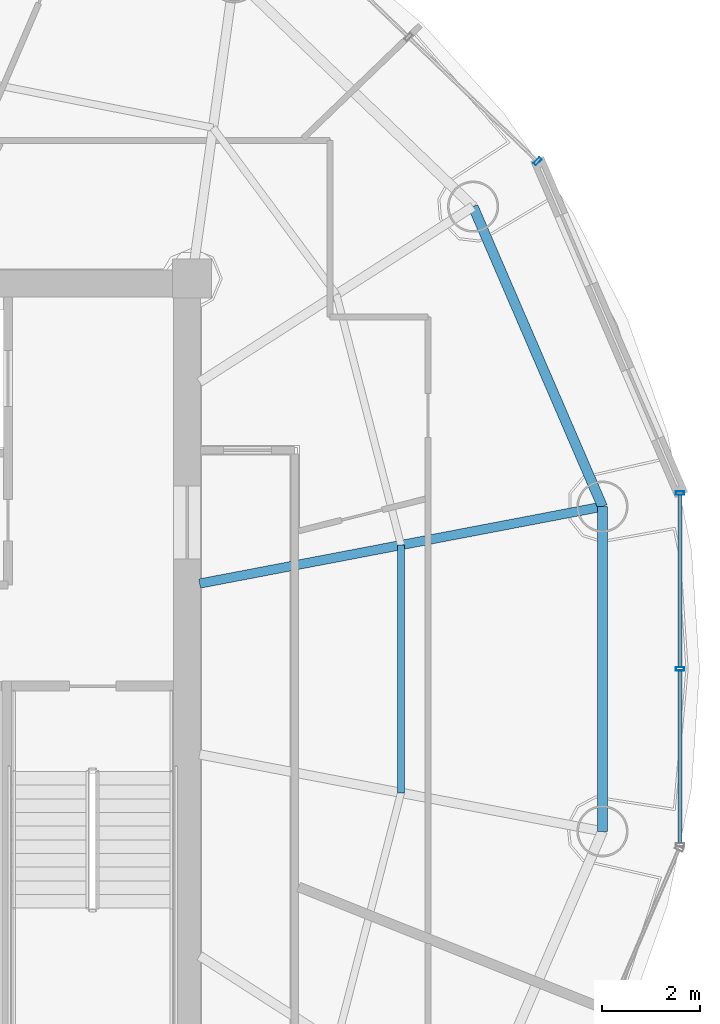
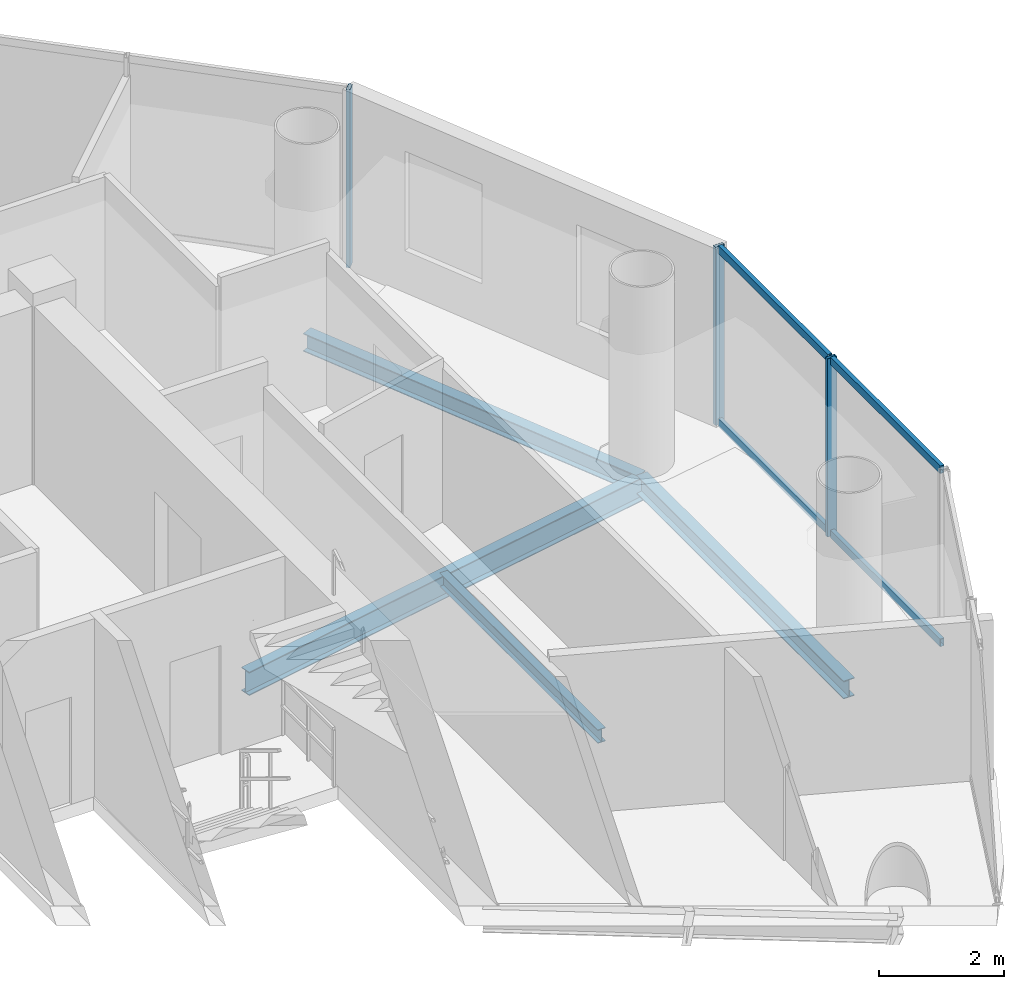
# One storey, part 11 of 23: 7 members, 4 beams, 2 elements without a shape of their own.
"""IFC4 building model written with IfcOpenShell, lengths in metres."""

from ifc_helpers import new_model, si_unit, direction, frame, origin, origin_2d, place, context, subcontext, project, spatial, hollow_rectangle, i_section, extrude, source, transform, mapped, material, material_profile, profile_set, type_object, element, aggregate, save


model = new_model("IFC4")

# Units and contexts
model_context = context("Model", 3, precision=1e-05, world=origin(), true_north=direction((-0.2419218956, 0.970295726276)))
body_context = subcontext(model_context, "Body", "Model", "MODEL_VIEW")
ifc_project = project(units=[si_unit("LENGTHUNIT", "METRE"), si_unit("AREAUNIT", "SQUARE_METRE"), si_unit("VOLUMEUNIT", "CUBIC_METRE"), si_unit("PLANEANGLEUNIT", "RADIAN"), si_unit("MASSUNIT", "GRAM", prefix="KILO")], contexts=[model_context])

# Site, building, storey
site_placement = place(None, origin())
site = spatial("IfcSite", under=ifc_project, at=site_placement, CompositionType="ELEMENT")
building_placement = place(site_placement, origin())
building = spatial("IfcBuilding", under=site, at=building_placement, Name="Cobrevalo Terracotta Tower", CompositionType="ELEMENT")
storey_placement = place(building_placement, frame((0.0, 0.0, 248.199951171875)))
storey = spatial("IfcBuildingStorey", under=building, at=storey_placement, Name="L65", CompositionType="ELEMENT", Elevation=248.199951171875)

# Beams
ifc_material_1 = material(Name="Steel S355", Category="steel")
ifc_material_profile_1 = material_profile(ifc_material_1, i_section(OverallWidth=0.19091796875, OverallDepth=0.4599609375, WebThickness=0.010009765625, FlangeThickness=0.01611328125, at=origin_2d()), Name="W 460x82")
ifc_profile_set_1 = profile_set([ifc_material_profile_1], Name="Steel S355")
beam_type_1 = type_object("IfcBeamType", Name="Structural Beam W 460x82 (Steel S355)", PredefinedType="BEAM", material=ifc_profile_set_1)
beam_1_placement = place(storey_placement, frame((55.408935546875, 30.126220703125, -0.489990234375), z_axis=(-0.982234917636, -0.187655446433, 0.0), x_axis=(0.187655446433, -0.982234917636, 0.0)))
element("IfcBeam", 1, at=beam_1_placement, inside=storey, type_object=beam_type_1, Name="L65 radial floor girder 01", PredefinedType="BEAM", context=body_context, shape_type="SweptSolid", body=[
    extrude(i_section(OverallWidth=0.19091796875, OverallDepth=0.4599609375, WebThickness=0.010009765625, FlangeThickness=0.01611328125, at=origin_2d()), origin(), (0.0, 0.0, 1.0), 8.403076171875),
])
ifc_material_profile_2 = material_profile(ifc_material_1, i_section(OverallWidth=0.14794921875, OverallDepth=0.26611328125, WebThickness=0.007568359375, FlangeThickness=0.012939453125, at=origin_2d()), Name="W 250x44.8")
ifc_profile_set_2 = profile_set([ifc_material_profile_2], Name="Steel S355")
beam_type_2 = type_object("IfcBeamType", Name="Structural Joist W 250x44.8 (Steel S355)", PredefinedType="JOIST", material=ifc_profile_set_2)
beam_2_placement = place(storey_placement, frame((51.281982421875, 24.26220703125, -0.39306640625), z_axis=(0.0, 1.0, 0.0), x_axis=(-1.0, 0.0, 0.0)))
element("IfcBeam", 2, at=beam_2_placement, inside=storey, type_object=beam_type_2, Name="L65 circumferential secondary floor joist 16", PredefinedType="JOIST", context=body_context, shape_type="SweptSolid", body=[
    extrude(i_section(OverallWidth=0.14794921875, OverallDepth=0.26611328125, WebThickness=0.007568359375, FlangeThickness=0.012939453125, at=origin_2d()), origin(), (0.0, 0.0, 1.0), 5.075439453125),
])
ifc_material_profile_3 = material_profile(ifc_material_1, i_section(OverallWidth=0.205078125, OverallDepth=0.35400390625, WebThickness=0.009521484375, FlangeThickness=0.016845703125, at=origin_2d()), Name="W 360x79")
ifc_profile_set_3 = profile_set([ifc_material_profile_3], Name="Steel S355")
beam_type_3 = type_object("IfcBeamType", Name="Structural Spandrel W 360x79 (Steel S355)", PredefinedType="SPANDREL", material=ifc_profile_set_3)
beam_3_placement = place(storey_placement, frame((55.408935546875, 30.126220703125, -0.43701171875), z_axis=(-0.395974127655, 0.918261667624, 0.0), x_axis=(-0.918261667624, -0.395974127655, 0.0)))
element("IfcBeam", 3, at=beam_3_placement, inside=storey, type_object=beam_type_3, Name="L65 perimeter ring spandrel 01", PredefinedType="SPANDREL", context=body_context, shape_type="SweptSolid", body=[
    extrude(i_section(OverallWidth=0.205078125, OverallDepth=0.35400390625, WebThickness=0.009521484375, FlangeThickness=0.016845703125, at=origin_2d()), origin(), (0.0, 0.0, 1.0), 6.693359375),
])
beam_4_placement = place(storey_placement, frame((55.408935546875, 23.4736328125, -0.43701171875), z_axis=(0.0, 1.0, 0.0), x_axis=(-1.0, 0.0, 0.0)))
element("IfcBeam", 4, at=beam_4_placement, inside=storey, type_object=beam_type_3, Name="L65 perimeter ring spandrel 16", PredefinedType="SPANDREL", context=body_context, shape_type="SweptSolid", body=[
    extrude(i_section(OverallWidth=0.205078125, OverallDepth=0.35400390625, WebThickness=0.009521484375, FlangeThickness=0.016845703125, at=origin_2d()), origin(), (0.0, 0.0, 1.0), 6.652587890625),
])

# Curtain wall, member
ifc_material_2 = material(Name="Anodized aluminium", Category="aluminium")
curtain_wall_type = type_object("IfcCurtainWallType", Name="Upper-tower triple-glazed penthouse curtain wall CW-U3", PredefinedType="NOTDEFINED", material=ifc_material_2)
curtain_wall_1_placement = place(storey_placement, origin())
curtain_wall_1 = element("IfcCurtainWall", 5, at=curtain_wall_1_placement, inside=storey, type_object=curtain_wall_type, Name="L65 curtain wall CW-L65-S02", PredefinedType="NOTDEFINED")
ifc_material_profile_4 = material_profile(ifc_material_2, hollow_rectangle(XDim=0.070068359375, YDim=0.169921875, WallThickness=0.00439453125, at=origin_2d()), Name="CWM 70x170")
ifc_profile_set_4 = profile_set([ifc_material_profile_4], Name="Anodized aluminium")
member_type_1 = type_object("IfcMemberType", Name="Upper tower unitised mullion 70x170", PredefinedType="MULLION", material=ifc_profile_set_4)
shared_shape_1 = source(origin(), body_context, "Body", "SweptSolid", [
    extrude(hollow_rectangle(XDim=0.070068359375, YDim=0.169921875, WallThickness=0.00439453125, at=origin_2d()), origin(), (0.0, 0.0, 1.0), 3.489990234375),
])
member_1_placement = place(storey_placement, frame((54.07666015625, 37.2001953125, 0.0), z_axis=(0.0, 0.0, 1.0), x_axis=(-0.71999418085, 0.69398010025, 0.0)))
member_1 = element("IfcMember", 6, at=member_1_placement, type_object=member_type_1, Name="CW-L65-S02 vertical mullion 01", PredefinedType="MULLION", context=body_context, shape_type="MappedRepresentation", body=[
    mapped(shared_shape_1, transform((0.0, 0.0, 0.0), scale=1.0)),
])
aggregate(curtain_wall_1, [member_1])

# Curtain wall, members
curtain_wall_2_placement = place(storey_placement, origin())
curtain_wall_2 = element("IfcCurtainWall", 7, at=curtain_wall_2_placement, inside=storey, type_object=curtain_wall_type, Name="L65 curtain wall CW-L65-S16", PredefinedType="NOTDEFINED")
member_2_placement = place(storey_placement, frame((56.997802734375, 26.800048828125, 0.0), z_axis=(0.0, 0.0, 1.0), x_axis=(0.0, 1.0, 0.0)))
member_2 = element("IfcMember", 8, at=member_2_placement, type_object=member_type_1, Name="CW-L65-S16 vertical mullion 02", PredefinedType="MULLION", context=body_context, shape_type="MappedRepresentation", body=[
    mapped(shared_shape_1, transform((0.0, 0.0, 0.0), scale=1.0)),
])
member_3_placement = place(storey_placement, frame((56.997802734375, 30.40234375, 0.0), z_axis=(0.0, 0.0, 1.0), x_axis=(0.0, 1.0, 0.0)))
member_3 = element("IfcMember", 9, at=member_3_placement, type_object=member_type_1, Name="CW-L65-S16 vertical mullion 03", PredefinedType="MULLION", context=body_context, shape_type="MappedRepresentation", body=[
    mapped(shared_shape_1, transform((0.0, 0.0, 0.0), scale=1.0)),
])
ifc_material_profile_5 = material_profile(ifc_material_2, hollow_rectangle(XDim=0.074951171875, YDim=0.14990234375, WallThickness=0.00439453125, at=origin_2d()), Name="CWT 75x150")
ifc_profile_set_5 = profile_set([ifc_material_profile_5], Name="Anodized aluminium")
member_type_2 = type_object("IfcMemberType", Name="Tower unitised aluminium transom 75x150", PredefinedType="USERDEFINED", material=ifc_profile_set_5)
shared_shape_2 = source(origin(), body_context, "Body", "SweptSolid", [
    extrude(hollow_rectangle(XDim=0.074951171875, YDim=0.14990234375, WallThickness=0.00439453125, at=origin_2d()), origin(), (0.0, 0.0, 1.0), 3.522216796875),
])
member_4_placement = place(storey_placement, frame((56.997802734375, 26.840087890625, 0.050048828125), z_axis=(0.0, 1.0, 0.0), x_axis=(-1.0, 0.0, 0.0)))
member_4 = element("IfcMember", 10, at=member_4_placement, type_object=member_type_2, Name="CW-L65-S16 transom B02-T1", ObjectType="TRANSOM", PredefinedType="USERDEFINED", context=body_context, shape_type="MappedRepresentation", body=[
    mapped(shared_shape_2, transform((0.0, 0.0, 0.0), scale=1.0)),
])
member_5_placement = place(storey_placement, frame((56.997802734375, 26.840087890625, 3.43994140625), z_axis=(0.0, 1.0, 0.0), x_axis=(-1.0, 0.0, 0.0)))
member_5 = element("IfcMember", 11, at=member_5_placement, type_object=member_type_2, Name="CW-L65-S16 transom B02-T2", ObjectType="TRANSOM", PredefinedType="USERDEFINED", context=body_context, shape_type="MappedRepresentation", body=[
    mapped(shared_shape_2, transform((0.0, 0.0, 0.0), scale=1.0)),
])
shared_shape_3 = source(origin(), body_context, "Body", "SweptSolid", [
    extrude(hollow_rectangle(XDim=0.074951171875, YDim=0.14990234375, WallThickness=0.00439453125, at=origin_2d()), origin(), (0.0, 0.0, 1.0), 3.5224609375),
])
member_6_placement = place(storey_placement, frame((56.997802734375, 23.237548828125, 0.050048828125), z_axis=(0.0, 1.0, 0.0), x_axis=(-1.0, 0.0, 0.0)))
member_6 = element("IfcMember", 12, at=member_6_placement, type_object=member_type_2, Name="CW-L65-S16 transom B01-T1", ObjectType="TRANSOM", PredefinedType="USERDEFINED", context=body_context, shape_type="MappedRepresentation", body=[
    mapped(shared_shape_3, transform((0.0, 0.0, 0.0), scale=1.0)),
])
member_7_placement = place(storey_placement, frame((56.997802734375, 23.237548828125, 3.43994140625), z_axis=(0.0, 1.0, 0.0), x_axis=(-1.0, 0.0, 0.0)))
member_7 = element("IfcMember", 13, at=member_7_placement, type_object=member_type_2, Name="CW-L65-S16 transom B01-T2", ObjectType="TRANSOM", PredefinedType="USERDEFINED", context=body_context, shape_type="MappedRepresentation", body=[
    mapped(shared_shape_3, transform((0.0, 0.0, 0.0), scale=1.0)),
])
aggregate(curtain_wall_2, [member_2, member_3, member_6, member_7, member_4, member_5])

save(model, "model.ifc")
